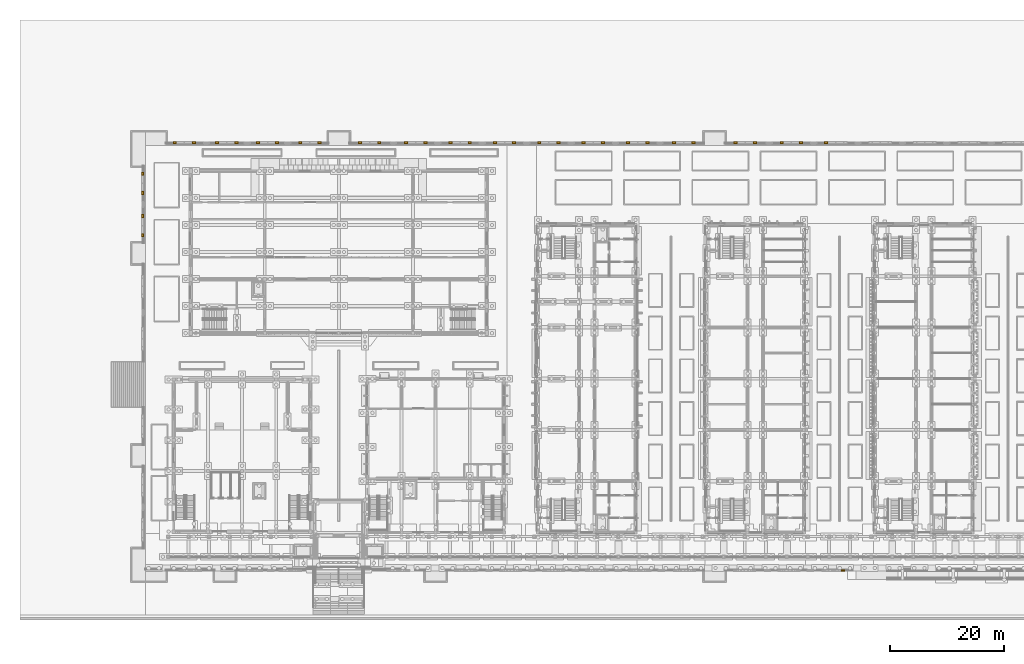
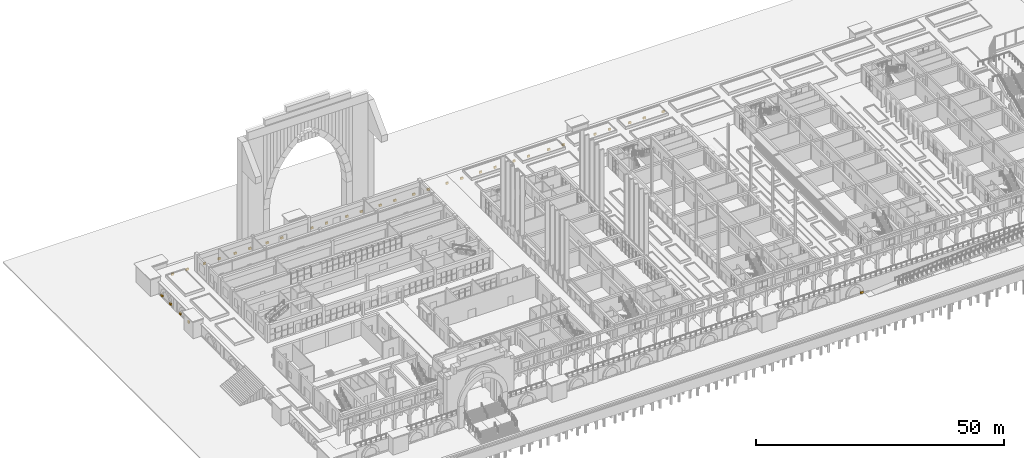
# One storey, part 151 of 161: 34 coverings.
"""IFC4 building model written with IfcOpenShell, lengths in metres."""

import ifcopenshell
import ifcopenshell.guid

model = None  # the IFC model being written
_history = None  # IfcOwnerHistory: only IFC2X3 demands one
_inside = {}  # id of a spatial element -> (the spatial element, [elements in it])
_under = {}  # id of a project, library or spatial element -> (it, [spatial elements below it])
_declared = {}  # id of a project -> (the project, [libraries it declares])
_typed = {}  # id of a type object -> (the type object, [elements of that type])
_made_of = {}  # id of a material, layer set ... -> (it, [elements and type objects made of it])


def new_model(schema):
    """Start an empty IFC model of exactly this schema.

    Asked for "IFC4X3", IfcOpenShell would pick the latest addendum, in which some entities
    have other attributes; the version numbers below select the first issue.
    IFC2X3 requires an IfcOwnerHistory on every rooted entity: one is made here for all.
    """
    global model, _history
    if schema == "IFC4X3":
        model = ifcopenshell.file(schema_version=(4, 3, 0, 0))
    else:
        model = ifcopenshell.file(schema=schema)
    _inside.clear()
    _under.clear()
    _declared.clear()
    _typed.clear()
    _made_of.clear()
    _history = None
    if model.schema == "IFC2X3":
        org = make("IfcOrganization", Name="unknown")
        user = make(
            "IfcPersonAndOrganization",
            ThePerson=make("IfcPerson", FamilyName="unknown"),
            TheOrganization=org,
        )
        app = make(
            "IfcApplication",
            ApplicationDeveloper=org,
            Version="unknown",
            ApplicationFullName="unknown",
            ApplicationIdentifier="unknown",
        )
        _history = make(
            "IfcOwnerHistory",
            OwningUser=user,
            OwningApplication=app,
            ChangeAction="ADDED",
            CreationDate=0,
        )
    return model


def make(cls, **values):
    """One entity of the class cls with the attributes given. An attribute that is None is left unset."""
    return model.create_entity(
        cls, **{name: value for name, value in values.items() if value is not None}
    )


def rooted(cls, **values):
    """An entity with a GlobalId (a new one), such as an element, a storey or a relation."""
    return make(cls, GlobalId=ifcopenshell.guid.new(), OwnerHistory=_history, **values)


def si_unit(unit_type, name, prefix=None):
    """IfcSIUnit, for example si_unit("LENGTHUNIT", "METRE", prefix="MILLI")."""
    return make("IfcSIUnit", UnitType=unit_type, Prefix=prefix, Name=name)


def assignment(units):
    """IfcUnitAssignment: the units of a project."""
    return None if units is None else make("IfcUnitAssignment", Units=units)


def point(xyz):
    """IfcCartesianPoint."""
    return None if xyz is None else make("IfcCartesianPoint", Coordinates=xyz)


def direction(xyz):
    """IfcDirection."""
    return None if xyz is None else make("IfcDirection", DirectionRatios=xyz)


def frame(location, z_axis=None, x_axis=None):
    """IfcAxis2Placement3D, a coordinate frame: its origin and axes. An axis left out is left unset."""
    return make(
        "IfcAxis2Placement3D",
        Location=point(location),
        Axis=direction(z_axis),
        RefDirection=direction(x_axis),
    )


def origin():
    """The frame at (0, 0, 0) with its axes left unset."""
    return frame((0.0, 0.0, 0.0))


def place(relative_to, where):
    """IfcLocalPlacement: puts the frame where relative to a parent placement (None: the world)."""
    return make(
        "IfcLocalPlacement", PlacementRelTo=relative_to, RelativePlacement=where
    )


def context(
    kind, dimensions, precision=None, world=None, true_north=None, identifier=None
):
    """IfcGeometricRepresentationContext, for example the 3D "Model" context."""
    return make(
        "IfcGeometricRepresentationContext",
        ContextIdentifier=identifier,
        ContextType=kind,
        CoordinateSpaceDimension=dimensions,
        Precision=precision,
        WorldCoordinateSystem=world,
        TrueNorth=true_north,
    )


def subcontext(parent, identifier, kind, view, scale=None):
    """IfcGeometricRepresentationSubContext, for example "Body" below "Model"."""
    return make(
        "IfcGeometricRepresentationSubContext",
        ContextIdentifier=identifier,
        ContextType=kind,
        ParentContext=parent,
        TargetScale=scale,
        TargetView=view,
    )


def project(units=None, contexts=None):
    """IfcProject with its units and contexts."""
    return rooted(
        "IfcProject",
        Name="project",
        RepresentationContexts=contexts,
        UnitsInContext=assignment(units),
    )


def spatial(cls, under=None, at=None, **own):
    """A site, building, storey or space (cls), placed at a placement, below another one or the project."""
    s = rooted(cls, ObjectPlacement=at, **own)
    if under is not None:
        _under.setdefault(under.id(), (under, []))[1].append(s)
    return s


def polyline(points):
    """IfcPolyline through the points."""
    return make("IfcPolyline", Points=[point(p) for p in points])


def outline(outer, holes=None, kind="AREA"):
    """IfcArbitraryClosedProfileDef: a profile drawn as a closed curve; with holes, ...WithVoids."""
    if holes is None:
        return make("IfcArbitraryClosedProfileDef", ProfileType=kind, OuterCurve=outer)
    return make(
        "IfcArbitraryProfileDefWithVoids",
        ProfileType=kind,
        OuterCurve=outer,
        InnerCurves=holes,
    )


def extrude(swept, where, along, depth):
    """IfcExtrudedAreaSolid: the profile swept, set in the frame where, extruded along a direction by depth."""
    return make(
        "IfcExtrudedAreaSolid",
        SweptArea=swept,
        Position=where,
        ExtrudedDirection=direction(along),
        Depth=depth,
    )


def shape(context_of_items, identifier, shape_type, items):
    """IfcShapeRepresentation: the items that make up one representation, for example the "Body"."""
    return make(
        "IfcShapeRepresentation",
        ContextOfItems=context_of_items,
        RepresentationIdentifier=identifier,
        RepresentationType=shape_type,
        Items=items,
    )


def material(Name=None, Category=None):
    """IfcMaterial."""
    return make("IfcMaterial", Name=Name, Category=Category)


def layer(
    of_material, thickness, ventilated=None, Name=None, Category=None, Priority=None
):
    """IfcMaterialLayer: one layer of a wall or slab, of a material (None: an air gap)."""
    return make(
        "IfcMaterialLayer",
        Material=of_material,
        LayerThickness=thickness,
        IsVentilated=ventilated,
        Name=Name,
        Category=Category,
        Priority=Priority,
    )


def layer_set(layers, Name=None):
    """IfcMaterialLayerSet."""
    return make("IfcMaterialLayerSet", MaterialLayers=layers, LayerSetName=Name)


def made_of(thing, what):
    """Note that an element or type object is made of a material, layer set ...; save() writes the relation."""
    if what is not None:
        _made_of.setdefault(what.id(), (what, []))[1].append(thing)
    return thing


def type_object(cls, material=None, **own):
    """A type object (cls), such as IfcWallType, which elements share."""
    return made_of(rooted(cls, **own), material)


def element(
    cls,
    number,
    at=None,
    inside=None,
    cuts=None,
    type_object=None,
    material=None,
    context=None,
    identifier="Body",
    shape_type=None,
    held_by="IfcProductDefinitionShape",
    body=None,
    shapes=None,
    **own,
):
    """One element of the class cls, such as IfcWall. Its Tag is "e" and its number.

    at: its placement. inside: the storey or other place that contains it. cuts: it is an
    opening in that element (IfcRelVoidsElement). A single representation is given by context,
    identifier, shape_type and body (its items); several are given by shapes. held_by: the class
    of the entity that holds the representations. save() writes the other relations.
    """
    e = rooted(cls, Tag="e%d" % number, ObjectPlacement=at, **own)
    if body is not None:
        shapes = [shape(context, identifier, shape_type, body)]
    if shapes is not None:
        e.Representation = make(held_by, Representations=shapes)
    if inside is not None:
        _inside.setdefault(inside.id(), (inside, []))[1].append(e)
    if cuts is not None:
        rooted(
            "IfcRelVoidsElement", RelatingBuildingElement=cuts, RelatedOpeningElement=e
        )
    if type_object is not None:
        _typed.setdefault(type_object.id(), (type_object, []))[1].append(e)
    return made_of(e, material)


def aggregate(whole, parts):
    """IfcRelAggregates: a whole, such as a stair, and the parts it consists of."""
    return rooted("IfcRelAggregates", RelatingObject=whole, RelatedObjects=parts)


def save(model, path):
    """Write the relations noted so far, then the file.

    IfcRelAggregates (storeys below a building ...), IfcRelContainedInSpatialStructure (elements
    in a storey), IfcRelDefinesByType, IfcRelAssociatesMaterial and IfcRelDeclares: one each for
    every whole, place, type object, material and project.
    """
    for whole, parts in _under.values():
        aggregate(whole, parts)
    for where, things in _inside.values():
        rooted(
            "IfcRelContainedInSpatialStructure",
            RelatedElements=things,
            RelatingStructure=where,
        )
    for kind, things in _typed.values():
        rooted("IfcRelDefinesByType", RelatedObjects=things, RelatingType=kind)
    for what, things in _made_of.values():
        rooted("IfcRelAssociatesMaterial", RelatedObjects=things, RelatingMaterial=what)
    for by, libraries in _declared.values():
        rooted("IfcRelDeclares", RelatingContext=by, RelatedDefinitions=libraries)
    model.write(path)


model = new_model("IFC4")

# Units and contexts
model_context = context("Model", 3, precision=1e-05, world=origin(), true_north=direction((0.0, 1.0)))
body_context = subcontext(model_context, "Body", "Model", "MODEL_VIEW")
ifc_project = project(units=[si_unit("LENGTHUNIT", "METRE"), si_unit("AREAUNIT", "SQUARE_METRE"), si_unit("VOLUMEUNIT", "CUBIC_METRE"), si_unit("PLANEANGLEUNIT", "RADIAN"), si_unit("MASSUNIT", "GRAM", prefix="KILO")], contexts=[model_context])

# Site, building, storey
site_placement = place(None, origin())
site = spatial("IfcSite", under=ifc_project, at=site_placement, CompositionType="ELEMENT")
building_placement = place(site_placement, origin())
building = spatial("IfcBuilding", under=site, at=building_placement, Name="Elbe Cascade School", CompositionType="ELEMENT")
storey_placement = place(building_placement, origin())
storey = spatial("IfcBuildingStorey", under=building, at=storey_placement, Name="L00", CompositionType="ELEMENT", Elevation=0.0)

# Coverings
ifc_material = material(Name="Sandstone - red", Category="masonry")
ifc_layer = layer(ifc_material, 0.300048828125)
ifc_layer_set = layer_set([ifc_layer], Name="Sandstone - red")
covering_type = type_object("IfcCoveringType", Name="Plinth niche frame leg 600x300", PredefinedType="CLADDING", material=ifc_layer_set)
covering_1_placement = place(storey_placement, frame((0.0, 0.0, -2.85009765625)))
element("IfcCovering", 1, at=covering_1_placement, inside=storey, type_object=covering_type, Name="Plinth niche frame leg west 0.4.1a", PredefinedType="CLADDING", context=body_context, shape_type="SweptSolid", body=[
    extrude(outline(polyline([(-0.60009765625, 61.300048828125), (-0.300048828125, 61.300048828125), (-0.300048828125, 61.89990234375), (-0.60009765625, 61.89990234375), (-0.60009765625, 61.300048828125)])), origin(), (0.0, 0.0, 1.0), 0.5),
])
covering_2_placement = place(storey_placement, frame((0.0, 0.0, -2.85009765625)))
element("IfcCovering", 2, at=covering_2_placement, inside=storey, type_object=covering_type, Name="Plinth niche frame leg west 0.4.1b", PredefinedType="CLADDING", context=body_context, shape_type="SweptSolid", body=[
    extrude(outline(polyline([(-0.60009765625, 57.89990234375), (-0.300048828125, 57.89990234375), (-0.300048828125, 58.5), (-0.60009765625, 58.5), (-0.60009765625, 57.89990234375)])), origin(), (0.0, 0.0, 1.0), 0.5),
])
covering_3_placement = place(storey_placement, frame((0.0, 0.0, -2.85009765625)))
element("IfcCovering", 3, at=covering_3_placement, inside=storey, type_object=covering_type, Name="Plinth niche frame leg west 0.4.2a", PredefinedType="CLADDING", context=body_context, shape_type="SweptSolid", body=[
    extrude(outline(polyline([(-0.60009765625, 68.699951171875), (-0.300048828125, 68.699951171875), (-0.300048828125, 69.300048828125), (-0.60009765625, 69.300048828125), (-0.60009765625, 68.699951171875)])), origin(), (0.0, 0.0, 1.0), 0.5),
])
covering_4_placement = place(storey_placement, frame((0.0, 0.0, -2.85009765625)))
element("IfcCovering", 4, at=covering_4_placement, inside=storey, type_object=covering_type, Name="Plinth niche frame leg west 0.4.2b", PredefinedType="CLADDING", context=body_context, shape_type="SweptSolid", body=[
    extrude(outline(polyline([(-0.60009765625, 65.300048828125), (-0.300048828125, 65.300048828125), (-0.300048828125, 65.89990234375), (-0.60009765625, 65.89990234375), (-0.60009765625, 65.300048828125)])), origin(), (0.0, 0.0, 1.0), 0.5),
])
covering_5_placement = place(storey_placement, frame((0.0, 0.0, -2.85009765625)))
element("IfcCovering", 5, at=covering_5_placement, inside=storey, type_object=covering_type, Name="Plinth niche frame leg north 0.1.1a", PredefinedType="CLADDING", context=body_context, shape_type="SweptSolid", body=[
    extrude(outline(polyline([(8.27490234375, 74.300048828125), (8.875, 74.300048828125), (8.875, 74.60009765625), (8.27490234375, 74.60009765625), (8.27490234375, 74.300048828125)])), origin(), (0.0, 0.0, 1.0), 0.5),
])
covering_6_placement = place(storey_placement, frame((0.0, 0.0, -2.85009765625)))
element("IfcCovering", 6, at=covering_6_placement, inside=storey, type_object=covering_type, Name="Plinth niche frame leg north 0.1.1b", PredefinedType="CLADDING", context=body_context, shape_type="SweptSolid", body=[
    extrude(outline(polyline([(4.875, 74.300048828125), (5.47509765625, 74.300048828125), (5.47509765625, 74.60009765625), (4.875, 74.60009765625), (4.875, 74.300048828125)])), origin(), (0.0, 0.0, 1.0), 0.5),
])
covering_7_placement = place(storey_placement, frame((0.0, 0.0, -2.85009765625)))
element("IfcCovering", 7, at=covering_7_placement, inside=storey, type_object=covering_type, Name="Plinth niche frame leg north 0.1.2a", PredefinedType="CLADDING", context=body_context, shape_type="SweptSolid", body=[
    extrude(outline(polyline([(15.72509765625, 74.300048828125), (16.324951171875, 74.300048828125), (16.324951171875, 74.60009765625), (15.72509765625, 74.60009765625), (15.72509765625, 74.300048828125)])), origin(), (0.0, 0.0, 1.0), 0.5),
])
covering_8_placement = place(storey_placement, frame((0.0, 0.0, -2.85009765625)))
element("IfcCovering", 8, at=covering_8_placement, inside=storey, type_object=covering_type, Name="Plinth niche frame leg north 0.1.2b", PredefinedType="CLADDING", context=body_context, shape_type="SweptSolid", body=[
    extrude(outline(polyline([(12.324951171875, 74.300048828125), (12.925048828125, 74.300048828125), (12.925048828125, 74.60009765625), (12.324951171875, 74.60009765625), (12.324951171875, 74.300048828125)])), origin(), (0.0, 0.0, 1.0), 0.5),
])
covering_9_placement = place(storey_placement, frame((0.0, 0.0, -2.85009765625)))
element("IfcCovering", 9, at=covering_9_placement, inside=storey, type_object=covering_type, Name="Plinth niche frame leg north 0.1.3a", PredefinedType="CLADDING", context=body_context, shape_type="SweptSolid", body=[
    extrude(outline(polyline([(22.875, 74.300048828125), (23.47509765625, 74.300048828125), (23.47509765625, 74.60009765625), (22.875, 74.60009765625), (22.875, 74.300048828125)])), origin(), (0.0, 0.0, 1.0), 0.5),
])
covering_10_placement = place(storey_placement, frame((0.0, 0.0, -2.85009765625)))
element("IfcCovering", 10, at=covering_10_placement, inside=storey, type_object=covering_type, Name="Plinth niche frame leg north 0.1.3b", PredefinedType="CLADDING", context=body_context, shape_type="SweptSolid", body=[
    extrude(outline(polyline([(19.47509765625, 74.300048828125), (20.074951171875, 74.300048828125), (20.074951171875, 74.60009765625), (19.47509765625, 74.60009765625), (19.47509765625, 74.300048828125)])), origin(), (0.0, 0.0, 1.0), 0.5),
])
covering_11_placement = place(storey_placement, frame((0.0, 0.0, -2.85009765625)))
element("IfcCovering", 11, at=covering_11_placement, inside=storey, type_object=covering_type, Name="Plinth niche frame leg north 0.1.4a", PredefinedType="CLADDING", context=body_context, shape_type="SweptSolid", body=[
    extrude(outline(polyline([(30.324951171875, 74.300048828125), (30.925048828125, 74.300048828125), (30.925048828125, 74.60009765625), (30.324951171875, 74.60009765625), (30.324951171875, 74.300048828125)])), origin(), (0.0, 0.0, 1.0), 0.5),
])
covering_12_placement = place(storey_placement, frame((0.0, 0.0, -2.85009765625)))
element("IfcCovering", 12, at=covering_12_placement, inside=storey, type_object=covering_type, Name="Plinth niche frame leg north 0.1.4b", PredefinedType="CLADDING", context=body_context, shape_type="SweptSolid", body=[
    extrude(outline(polyline([(26.925048828125, 74.300048828125), (27.52490234375, 74.300048828125), (27.52490234375, 74.60009765625), (26.925048828125, 74.60009765625), (26.925048828125, 74.300048828125)])), origin(), (0.0, 0.0, 1.0), 0.5),
])
covering_13_placement = place(storey_placement, frame((0.0, 0.0, -2.85009765625)))
element("IfcCovering", 13, at=covering_13_placement, inside=storey, type_object=covering_type, Name="Plinth niche frame leg north 0.2.1a", PredefinedType="CLADDING", context=body_context, shape_type="SweptSolid", body=[
    extrude(outline(polyline([(40.800048828125, 74.300048828125), (41.39990234375, 74.300048828125), (41.39990234375, 74.60009765625), (40.800048828125, 74.60009765625), (40.800048828125, 74.300048828125)])), origin(), (0.0, 0.0, 1.0), 0.5),
])
covering_14_placement = place(storey_placement, frame((0.0, 0.0, -2.85009765625)))
element("IfcCovering", 14, at=covering_14_placement, inside=storey, type_object=covering_type, Name="Plinth niche frame leg north 0.2.1b", PredefinedType="CLADDING", context=body_context, shape_type="SweptSolid", body=[
    extrude(outline(polyline([(37.39990234375, 74.300048828125), (38.0, 74.300048828125), (38.0, 74.60009765625), (37.39990234375, 74.60009765625), (37.39990234375, 74.300048828125)])), origin(), (0.0, 0.0, 1.0), 0.5),
])
covering_15_placement = place(storey_placement, frame((0.0, 0.0, -2.85009765625)))
element("IfcCovering", 15, at=covering_15_placement, inside=storey, type_object=covering_type, Name="Plinth niche frame leg north 0.2.2a", PredefinedType="CLADDING", context=body_context, shape_type="SweptSolid", body=[
    extrude(outline(polyline([(48.89990234375, 74.300048828125), (49.5, 74.300048828125), (49.5, 74.60009765625), (48.89990234375, 74.60009765625), (48.89990234375, 74.300048828125)])), origin(), (0.0, 0.0, 1.0), 0.5),
])
covering_16_placement = place(storey_placement, frame((0.0, 0.0, -2.85009765625)))
element("IfcCovering", 16, at=covering_16_placement, inside=storey, type_object=covering_type, Name="Plinth niche frame leg north 0.2.2b", PredefinedType="CLADDING", context=body_context, shape_type="SweptSolid", body=[
    extrude(outline(polyline([(45.5, 74.300048828125), (46.10009765625, 74.300048828125), (46.10009765625, 74.60009765625), (45.5, 74.60009765625), (45.5, 74.300048828125)])), origin(), (0.0, 0.0, 1.0), 0.5),
])
covering_17_placement = place(storey_placement, frame((0.0, 0.0, -2.85009765625)))
element("IfcCovering", 17, at=covering_17_placement, inside=storey, type_object=covering_type, Name="Plinth niche frame leg north 0.2.3a", PredefinedType="CLADDING", context=body_context, shape_type="SweptSolid", body=[
    extrude(outline(polyline([(56.699951171875, 74.300048828125), (57.300048828125, 74.300048828125), (57.300048828125, 74.60009765625), (56.699951171875, 74.60009765625), (56.699951171875, 74.300048828125)])), origin(), (0.0, 0.0, 1.0), 0.5),
])
covering_18_placement = place(storey_placement, frame((0.0, 0.0, -2.85009765625)))
element("IfcCovering", 18, at=covering_18_placement, inside=storey, type_object=covering_type, Name="Plinth niche frame leg north 0.2.3b", PredefinedType="CLADDING", context=body_context, shape_type="SweptSolid", body=[
    extrude(outline(polyline([(53.300048828125, 74.300048828125), (53.89990234375, 74.300048828125), (53.89990234375, 74.60009765625), (53.300048828125, 74.60009765625), (53.300048828125, 74.300048828125)])), origin(), (0.0, 0.0, 1.0), 0.5),
])
covering_19_placement = place(storey_placement, frame((0.0, 0.0, -2.85009765625)))
element("IfcCovering", 19, at=covering_19_placement, inside=storey, type_object=covering_type, Name="Plinth niche frame leg north 0.2.4a", PredefinedType="CLADDING", context=body_context, shape_type="SweptSolid", body=[
    extrude(outline(polyline([(64.5, 74.300048828125), (65.10009765625, 74.300048828125), (65.10009765625, 74.60009765625), (64.5, 74.60009765625), (64.5, 74.300048828125)])), origin(), (0.0, 0.0, 1.0), 0.5),
])
covering_20_placement = place(storey_placement, frame((0.0, 0.0, -2.85009765625)))
element("IfcCovering", 20, at=covering_20_placement, inside=storey, type_object=covering_type, Name="Plinth niche frame leg north 0.2.4b", PredefinedType="CLADDING", context=body_context, shape_type="SweptSolid", body=[
    extrude(outline(polyline([(61.10009765625, 74.300048828125), (61.699951171875, 74.300048828125), (61.699951171875, 74.60009765625), (61.10009765625, 74.60009765625), (61.10009765625, 74.300048828125)])), origin(), (0.0, 0.0, 1.0), 0.5),
])
covering_21_placement = place(storey_placement, frame((0.0, 0.0, -2.85009765625)))
element("IfcCovering", 21, at=covering_21_placement, inside=storey, type_object=covering_type, Name="Plinth niche frame leg north 0.2.5a", PredefinedType="CLADDING", context=body_context, shape_type="SweptSolid", body=[
    extrude(outline(polyline([(72.300048828125, 74.300048828125), (72.89990234375, 74.300048828125), (72.89990234375, 74.60009765625), (72.300048828125, 74.60009765625), (72.300048828125, 74.300048828125)])), origin(), (0.0, 0.0, 1.0), 0.5),
])
covering_22_placement = place(storey_placement, frame((0.0, 0.0, -2.85009765625)))
element("IfcCovering", 22, at=covering_22_placement, inside=storey, type_object=covering_type, Name="Plinth niche frame leg north 0.2.5b", PredefinedType="CLADDING", context=body_context, shape_type="SweptSolid", body=[
    extrude(outline(polyline([(68.89990234375, 74.300048828125), (69.5, 74.300048828125), (69.5, 74.60009765625), (68.89990234375, 74.60009765625), (68.89990234375, 74.300048828125)])), origin(), (0.0, 0.0, 1.0), 0.5),
])
covering_23_placement = place(storey_placement, frame((0.0, 0.0, -2.85009765625)))
element("IfcCovering", 23, at=covering_23_placement, inside=storey, type_object=covering_type, Name="Plinth niche frame leg north 0.2.6a", PredefinedType="CLADDING", context=body_context, shape_type="SweptSolid", body=[
    extrude(outline(polyline([(80.10009765625, 74.300048828125), (80.699951171875, 74.300048828125), (80.699951171875, 74.60009765625), (80.10009765625, 74.60009765625), (80.10009765625, 74.300048828125)])), origin(), (0.0, 0.0, 1.0), 0.5),
])
covering_24_placement = place(storey_placement, frame((0.0, 0.0, -2.85009765625)))
element("IfcCovering", 24, at=covering_24_placement, inside=storey, type_object=covering_type, Name="Plinth niche frame leg north 0.2.6b", PredefinedType="CLADDING", context=body_context, shape_type="SweptSolid", body=[
    extrude(outline(polyline([(76.699951171875, 74.300048828125), (77.300048828125, 74.300048828125), (77.300048828125, 74.60009765625), (76.699951171875, 74.60009765625), (76.699951171875, 74.300048828125)])), origin(), (0.0, 0.0, 1.0), 0.5),
])
covering_25_placement = place(storey_placement, frame((0.0, 0.0, -2.85009765625)))
element("IfcCovering", 25, at=covering_25_placement, inside=storey, type_object=covering_type, Name="Plinth niche frame leg north 0.2.7a", PredefinedType="CLADDING", context=body_context, shape_type="SweptSolid", body=[
    extrude(outline(polyline([(87.89990234375, 74.300048828125), (88.5, 74.300048828125), (88.5, 74.60009765625), (87.89990234375, 74.60009765625), (87.89990234375, 74.300048828125)])), origin(), (0.0, 0.0, 1.0), 0.5),
])
covering_26_placement = place(storey_placement, frame((0.0, 0.0, -2.85009765625)))
element("IfcCovering", 26, at=covering_26_placement, inside=storey, type_object=covering_type, Name="Plinth niche frame leg north 0.2.7b", PredefinedType="CLADDING", context=body_context, shape_type="SweptSolid", body=[
    extrude(outline(polyline([(84.5, 74.300048828125), (85.10009765625, 74.300048828125), (85.10009765625, 74.60009765625), (84.5, 74.60009765625), (84.5, 74.300048828125)])), origin(), (0.0, 0.0, 1.0), 0.5),
])
covering_27_placement = place(storey_placement, frame((0.0, 0.0, -2.85009765625)))
element("IfcCovering", 27, at=covering_27_placement, inside=storey, type_object=covering_type, Name="Plinth niche frame leg north 0.2.8a", PredefinedType="CLADDING", context=body_context, shape_type="SweptSolid", body=[
    extrude(outline(polyline([(96.0, 74.300048828125), (96.60009765625, 74.300048828125), (96.60009765625, 74.60009765625), (96.0, 74.60009765625), (96.0, 74.300048828125)])), origin(), (0.0, 0.0, 1.0), 0.5),
])
covering_28_placement = place(storey_placement, frame((0.0, 0.0, -2.85009765625)))
element("IfcCovering", 28, at=covering_28_placement, inside=storey, type_object=covering_type, Name="Plinth niche frame leg north 0.2.8b", PredefinedType="CLADDING", context=body_context, shape_type="SweptSolid", body=[
    extrude(outline(polyline([(92.60009765625, 74.300048828125), (93.199951171875, 74.300048828125), (93.199951171875, 74.60009765625), (92.60009765625, 74.60009765625), (92.60009765625, 74.300048828125)])), origin(), (0.0, 0.0, 1.0), 0.5),
])
covering_29_placement = place(storey_placement, frame((0.0, 0.0, -2.85009765625)))
element("IfcCovering", 29, at=covering_29_placement, inside=storey, type_object=covering_type, Name="Plinth niche frame leg north 0.3.1a", PredefinedType="CLADDING", context=body_context, shape_type="SweptSolid", body=[
    extrude(outline(polyline([(106.800048828125, 74.300048828125), (107.39990234375, 74.300048828125), (107.39990234375, 74.60009765625), (106.800048828125, 74.60009765625), (106.800048828125, 74.300048828125)])), origin(), (0.0, 0.0, 1.0), 0.5),
])
covering_30_placement = place(storey_placement, frame((0.0, 0.0, -2.85009765625)))
element("IfcCovering", 30, at=covering_30_placement, inside=storey, type_object=covering_type, Name="Plinth niche frame leg north 0.3.1b", PredefinedType="CLADDING", context=body_context, shape_type="SweptSolid", body=[
    extrude(outline(polyline([(103.39990234375, 74.300048828125), (104.0, 74.300048828125), (104.0, 74.60009765625), (103.39990234375, 74.60009765625), (103.39990234375, 74.300048828125)])), origin(), (0.0, 0.0, 1.0), 0.5),
])
covering_31_placement = place(storey_placement, frame((0.0, 0.0, -2.85009765625)))
element("IfcCovering", 31, at=covering_31_placement, inside=storey, type_object=covering_type, Name="Plinth niche frame leg north 0.3.2a", PredefinedType="CLADDING", context=body_context, shape_type="SweptSolid", body=[
    extrude(outline(polyline([(114.89990234375, 74.300048828125), (115.5, 74.300048828125), (115.5, 74.60009765625), (114.89990234375, 74.60009765625), (114.89990234375, 74.300048828125)])), origin(), (0.0, 0.0, 1.0), 0.5),
])
covering_32_placement = place(storey_placement, frame((0.0, 0.0, -2.85009765625)))
element("IfcCovering", 32, at=covering_32_placement, inside=storey, type_object=covering_type, Name="Plinth niche frame leg north 0.3.2b", PredefinedType="CLADDING", context=body_context, shape_type="SweptSolid", body=[
    extrude(outline(polyline([(111.5, 74.300048828125), (112.10009765625, 74.300048828125), (112.10009765625, 74.60009765625), (111.5, 74.60009765625), (111.5, 74.300048828125)])), origin(), (0.0, 0.0, 1.0), 0.5),
])
covering_33_placement = place(storey_placement, frame((0.0, 0.0, -2.85009765625)))
element("IfcCovering", 33, at=covering_33_placement, inside=storey, type_object=covering_type, Name="Plinth niche frame leg north 0.3.3b", PredefinedType="CLADDING", context=body_context, shape_type="SweptSolid", body=[
    extrude(outline(polyline([(119.300048828125, 74.300048828125), (119.89990234375, 74.300048828125), (119.89990234375, 74.60009765625), (119.300048828125, 74.60009765625), (119.300048828125, 74.300048828125)])), origin(), (0.0, 0.0, 1.0), 0.5),
])
covering_34_placement = place(storey_placement, frame((0.0, 0.0, -2.85009765625)))
element("IfcCovering", 34, at=covering_34_placement, inside=storey, type_object=covering_type, Name="Plinth niche frame leg south 0.5.3b", PredefinedType="CLADDING", context=body_context, shape_type="SweptSolid", body=[
    extrude(outline(polyline([(122.25, -0.860107421875), (122.85009765625, -0.860107421875), (122.85009765625, -0.56005859375), (122.25, -0.56005859375), (122.25, -0.860107421875)])), origin(), (0.0, 0.0, 1.0), 0.5),
])

save(model, "model.ifc")
